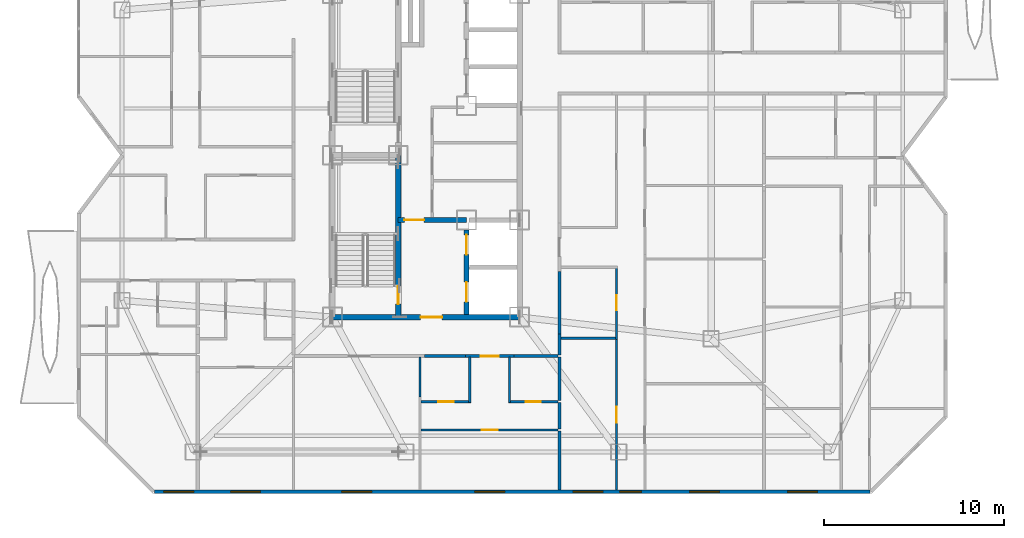
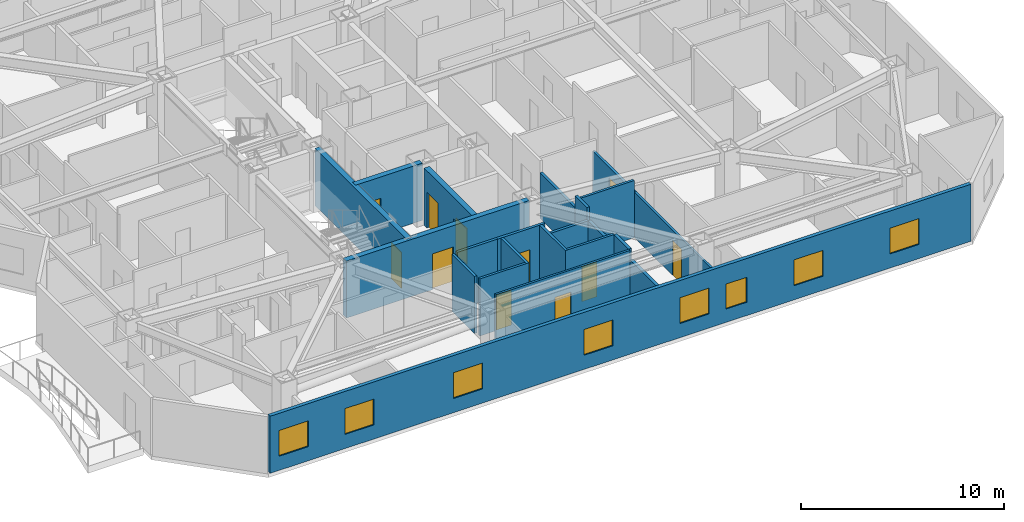
# One storey, part 15 of 21: 22 walls, 11 doors, 8 windows, 19 openings.
"""IFC4 building model written with IfcOpenShell, lengths in metres."""

from ifc_helpers import new_model, si_unit, direction, frame, frame_2d, origin, place, context, subcontext, project, spatial, rectangle, extrude, material, layer, layer_set, type_object, element, fill, save


model = new_model("IFC4")

# Units and contexts
model_context = context("Model", 3, precision=1e-05, world=origin(), true_north=direction((0.0, 1.0)))
body_context = subcontext(model_context, "Body", "Model", "MODEL_VIEW")
ifc_project = project(units=[si_unit("LENGTHUNIT", "METRE"), si_unit("AREAUNIT", "SQUARE_METRE"), si_unit("VOLUMEUNIT", "CUBIC_METRE"), si_unit("PLANEANGLEUNIT", "RADIAN"), si_unit("MASSUNIT", "GRAM", prefix="KILO")], contexts=[model_context])

# Site, building, storey
site_placement = place(None, origin())
site = spatial("IfcSite", under=ifc_project, at=site_placement, CompositionType="ELEMENT")
building_placement = place(site_placement, origin())
building = spatial("IfcBuilding", under=site, at=building_placement, Name="Khamvora Tower", CompositionType="ELEMENT")
storey_placement = place(building_placement, frame((0.0, 0.0, 159.550048828125)))
storey = spatial("IfcBuildingStorey", under=building, at=storey_placement, Name="L40", CompositionType="ELEMENT", Elevation=159.550048828125)

# Wall, opening, door
ifc_material_1 = material(Name="Concrete C50/60", Category="concrete")
ifc_layer_1 = layer(ifc_material_1, 0.300048828125)
ifc_layer_set_1 = layer_set([ifc_layer_1], Name="Concrete C50/60")
wall_type_1 = type_object("IfcWallType", Name="WAL-CORE-300", PredefinedType="SHEAR", material=ifc_layer_set_1)
wall_1_placement = place(storey_placement, frame((29.0, 19.0, 0.0), z_axis=(0.0, 0.0, 1.0), x_axis=(1.0, 0.0, 0.0)))
wall_1 = element("IfcWall", 1, at=wall_1_placement, inside=storey, type_object=wall_type_1, Name="L40 central core south wall", PredefinedType="SHEAR", context=body_context, shape_type="SweptSolid", body=[
    extrude(rectangle(XDim=10.39990234375, YDim=0.300048828125, at=frame_2d((5.199951171875, 0.0))), origin(), (0.0, 0.0, 1.0), 3.429931640625),
])
opening_1_placement = place(wall_1_placement, frame((4.89990234375, 0.0, 0.0)))
opening_1 = element("IfcOpeningElement", 2, at=opening_1_placement, cuts=wall_1, Name="Opening D-CR1", PredefinedType="OPENING", context=body_context, shape_type="SweptSolid", body=[
    extrude(rectangle(XDim=1.199951171875, YDim=2.14990234375, at=frame_2d((0.60009765625, 1.074951171875))), frame((0.0, 0.159912109375, 0.0), z_axis=(0.0, -1.0, 0.0), x_axis=(1.0, 0.0, 0.0)), (0.0, 0.0, 1.0), 0.320068359375),
])
ifc_material_2 = material(Name="Powder-Coated Steel and Hardwood Leaf", Category="steel")
door_type_1 = type_object("IfcDoorType", Name="DOR-CORR-1200", OperationType="NOTDEFINED", PredefinedType="DOOR", material=ifc_material_2)
door_1_placement = place(opening_1_placement, origin())
door_1 = element("IfcDoor", 3, at=door_1_placement, inside=storey, type_object=door_type_1, Name="L40 south core lobby to corridor fire door", OperationType="SINGLE_SWING_RIGHT", OverallHeight=2.14990234375, OverallWidth=1.199951171875, PredefinedType="DOOR", context=body_context, shape_type="SweptSolid", body=[
    extrude(rectangle(XDim=1.199951171875, YDim=2.14990234375, at=frame_2d((0.60009765625, 1.074951171875))), frame((0.0, 0.02490234375, 0.0), z_axis=(0.0, -1.0, 0.0), x_axis=(1.0, 0.0, 0.0)), (0.0, 0.0, 1.0), 0.050048828125),
])
fill(opening_1, door_1)

wall_2_placement = place(storey_placement, frame((32.64990234375, 19.0, 0.0), z_axis=(0.0, 0.0, 1.0), x_axis=(0.0, 1.0, 0.0)))
wall_2 = element("IfcWall", 4, at=wall_2_placement, inside=storey, type_object=wall_type_1, Name="L40 central core stair south spine wall", PredefinedType="SHEAR", context=body_context, shape_type="SweptSolid", body=[
    extrude(rectangle(XDim=9.0, YDim=0.300048828125, at=frame_2d((4.5, 0.0))), origin(), (0.0, 0.0, 1.0), 3.429931640625),
])
opening_2_placement = place(wall_2_placement, frame((0.719970703125, 0.0, 0.0)))
opening_2 = element("IfcOpeningElement", 5, at=opening_2_placement, cuts=wall_2, Name="Opening D-ST1", PredefinedType="OPENING", context=body_context, shape_type="SweptSolid", body=[
    extrude(rectangle(XDim=1.0, YDim=2.14990234375, at=frame_2d((0.5, 1.074951171875))), frame((0.0, 0.159912109375, 0.0), z_axis=(0.0, -1.0, 0.0), x_axis=(1.0, 0.0, 0.0)), (0.0, 0.0, 1.0), 0.320068359375),
])
door_type_2 = type_object("IfcDoorType", Name="DOR-STAIR-1000", OperationType="NOTDEFINED", PredefinedType="DOOR", material=ifc_material_2)
door_2_placement = place(opening_2_placement, origin())
door_2 = element("IfcDoor", 6, at=door_2_placement, inside=storey, type_object=door_type_2, Name="L40 exit stair ST-01 fire door", OperationType="SINGLE_SWING_RIGHT", OverallHeight=2.14990234375, OverallWidth=1.0, PredefinedType="DOOR", context=body_context, shape_type="SweptSolid", body=[
    extrude(rectangle(XDim=1.0, YDim=2.14990234375, at=frame_2d((0.5, 1.074951171875))), frame((0.0, 0.02490234375, 0.0), z_axis=(0.0, -1.0, 0.0), x_axis=(1.0, 0.0, 0.0)), (0.0, 0.0, 1.0), 0.050048828125),
])
fill(opening_2, door_2)

wall_3_placement = place(storey_placement, frame((32.64990234375, 24.39990234375, 0.0), z_axis=(0.0, 0.0, 1.0), x_axis=(1.0, 0.0, 0.0)))
wall_3 = element("IfcWall", 7, at=wall_3_placement, inside=storey, type_object=wall_type_1, Name="L40 central core firefighting lobby north wall", PredefinedType="SHEAR", context=body_context, shape_type="SweptSolid", body=[
    extrude(rectangle(XDim=3.800048828125, YDim=0.300048828125, at=frame_2d((1.89990234375, 0.0))), origin(), (0.0, 0.0, 1.0), 3.429931640625),
])
opening_3_placement = place(wall_3_placement, frame((0.35009765625, 0.0, 0.0)))
opening_3 = element("IfcOpeningElement", 8, at=opening_3_placement, cuts=wall_3, Name="Opening D-FF1", PredefinedType="OPENING", context=body_context, shape_type="SweptSolid", body=[
    extrude(rectangle(XDim=1.10009765625, YDim=2.14990234375, at=frame_2d((0.550048828125, 1.074951171875))), frame((0.0, 0.159912109375, 0.0), z_axis=(0.0, -1.0, 0.0), x_axis=(1.0, 0.0, 0.0)), (0.0, 0.0, 1.0), 0.320068359375),
])
door_type_3 = type_object("IfcDoorType", Name="DOR-FFLOB-1100", OperationType="NOTDEFINED", PredefinedType="DOOR", material=ifc_material_2)
door_3_placement = place(opening_3_placement, origin())
door_3 = element("IfcDoor", 9, at=door_3_placement, inside=storey, type_object=door_type_3, Name="L40 firefighting lobby smoke-seal fire door", OperationType="SINGLE_SWING_LEFT", OverallHeight=2.14990234375, OverallWidth=1.10009765625, PredefinedType="DOOR", context=body_context, shape_type="SweptSolid", body=[
    extrude(rectangle(XDim=1.10009765625, YDim=2.14990234375, at=frame_2d((0.550048828125, 1.074951171875))), frame((0.0, 0.02490234375, 0.0), z_axis=(0.0, -1.0, 0.0), x_axis=(1.0, 0.0, 0.0)), (0.0, 0.0, 1.0), 0.050048828125),
])
fill(opening_3, door_3)

# Wall, openings, doors
wall_4_placement = place(storey_placement, frame((36.449951171875, 19.154052734375, 0.0), z_axis=(0.0, 0.0, 1.0), x_axis=(0.0, 1.0, 0.0)))
wall_4 = element("IfcWall", 10, at=wall_4_placement, inside=storey, type_object=wall_type_1, Name="L40 central core lift bank south wall", PredefinedType="SHEAR", context=body_context, shape_type="SweptSolid", body=[
    extrude(rectangle(XDim=4.696044921875, YDim=0.300048828125, at=frame_2d((2.34814453125, 0.0))), origin(), (0.0, 0.0, 1.0), 3.429931640625),
])
opening_4_placement = place(wall_4_placement, frame((0.696044921875, 0.0, 0.0)))
opening_4 = element("IfcOpeningElement", 11, at=opening_4_placement, cuts=wall_4, Name="Opening LD-FFL", PredefinedType="OPENING", context=body_context, shape_type="SweptSolid", body=[
    extrude(rectangle(XDim=1.10009765625, YDim=2.14990234375, at=frame_2d((0.550048828125, 1.074951171875))), frame((0.0, 0.159912109375, 0.0), z_axis=(0.0, -1.0, 0.0), x_axis=(1.0, 0.0, 0.0)), (0.0, 0.0, 1.0), 0.320068359375),
])
opening_5_placement = place(wall_4_placement, frame((3.31591796875, 0.0, 0.0)))
opening_5 = element("IfcOpeningElement", 12, at=opening_5_placement, cuts=wall_4, Name="Opening LD-FFL", PredefinedType="OPENING", context=body_context, shape_type="SweptSolid", body=[
    extrude(rectangle(XDim=1.10009765625, YDim=2.14990234375, at=frame_2d((0.550048828125, 1.074951171875))), frame((0.0, 0.159912109375, 0.0), z_axis=(0.0, -1.0, 0.0), x_axis=(1.0, 0.0, 0.0)), (0.0, 0.0, 1.0), 0.320068359375),
])
door_type_4 = type_object("IfcDoorType", Name="DOR-LIFT-1100", OperationType="SLIDING_TO_LEFT", PredefinedType="DOOR", material=ifc_material_2)
door_4_placement = place(opening_4_placement, origin())
door_4 = element("IfcDoor", 13, at=door_4_placement, inside=storey, type_object=door_type_4, Name="L40 lift landing sliding door FFL-01", OperationType="SLIDING_TO_LEFT", OverallHeight=2.14990234375, OverallWidth=1.10009765625, PredefinedType="DOOR", context=body_context, shape_type="SweptSolid", body=[
    extrude(rectangle(XDim=1.10009765625, YDim=2.14990234375, at=frame_2d((0.550048828125, 1.074951171875))), frame((0.0, 0.02490234375, 0.0), z_axis=(0.0, -1.0, 0.0), x_axis=(1.0, 0.0, 0.0)), (0.0, 0.0, 1.0), 0.050048828125),
])
fill(opening_4, door_4)
door_5_placement = place(opening_5_placement, origin())
door_5 = element("IfcDoor", 14, at=door_5_placement, inside=storey, type_object=door_type_4, Name="L40 lift landing sliding door FFL-02", OperationType="SLIDING_TO_LEFT", OverallHeight=2.14990234375, OverallWidth=1.10009765625, PredefinedType="DOOR", context=body_context, shape_type="SweptSolid", body=[
    extrude(rectangle(XDim=1.10009765625, YDim=2.14990234375, at=frame_2d((0.550048828125, 1.074951171875))), frame((0.0, 0.02490234375, 0.0), z_axis=(0.0, -1.0, 0.0), x_axis=(1.0, 0.0, 0.0)), (0.0, 0.0, 1.0), 0.050048828125),
])
fill(opening_5, door_5)

# Wall, opening, door
ifc_material_3 = material(Name="Fire-Rated Drywall and Steel Stud", Category="steel")
ifc_layer_2 = layer(ifc_material_3, 0.14990234375)
ifc_layer_set_2 = layer_set([ifc_layer_2], Name="Fire-Rated Drywall and Steel Stud")
wall_type_2 = type_object("IfcWallType", Name="WAL-CORR-150", PredefinedType="STANDARD", material=ifc_layer_set_2)
wall_5_placement = place(storey_placement, frame((39.089111328125, 16.8349609375, 0.0), z_axis=(0.0, 0.0, 1.0), x_axis=(-1.0, 0.0, 0.0)))
wall_5 = element("IfcWall", 15, at=wall_5_placement, inside=storey, type_object=wall_type_2, Name="L40 interior partition wall 022", PredefinedType="STANDARD", context=body_context, shape_type="SweptSolid", body=[
    extrude(rectangle(XDim=2.697998046875, YDim=0.14990234375, at=frame_2d((1.34912109375, 0.0))), origin(), (0.0, 0.0, 1.0), 3.429931640625),
])
opening_6_placement = place(wall_5_placement, frame((0.84912109375, 0.0, 0.0)))
opening_6 = element("IfcOpeningElement", 16, at=opening_6_placement, cuts=wall_5, Name="Opening D-U1", PredefinedType="OPENING", context=body_context, shape_type="SweptSolid", body=[
    extrude(rectangle(XDim=1.0, YDim=2.14990234375, at=frame_2d((0.5, 1.074951171875))), frame((0.0, 0.0849609375, 0.0), z_axis=(0.0, -1.0, 0.0), x_axis=(1.0, 0.0, 0.0)), (0.0, 0.0, 1.0), 0.169921875),
])
door_type_5 = type_object("IfcDoorType", Name="DOR-UNIT-1000", OperationType="NOTDEFINED", PredefinedType="DOOR", material=ifc_material_2)
door_6_placement = place(opening_6_placement, origin())
door_6 = element("IfcDoor", 17, at=door_6_placement, inside=storey, type_object=door_type_5, Name="L40 interior door COR-40SAH", OperationType="SINGLE_SWING_RIGHT", OverallHeight=2.14990234375, OverallWidth=1.0, PredefinedType="DOOR", context=body_context, shape_type="SweptSolid", body=[
    extrude(rectangle(XDim=1.0, YDim=2.14990234375, at=frame_2d((0.5, 1.074951171875))), frame((0.0, 0.02490234375, 0.0), z_axis=(0.0, -1.0, 0.0), x_axis=(1.0, 0.0, 0.0)), (0.0, 0.0, 1.0), 0.050048828125),
])
fill(opening_6, door_6)

# Walls
wall_6_placement = place(storey_placement, frame((36.39111328125, 16.8349609375, 0.0), z_axis=(0.0, 0.0, 1.0), x_axis=(-1.0, 0.0, 0.0)))
element("IfcWall", 18, at=wall_6_placement, inside=storey, type_object=wall_type_2, Name="L40 interior partition wall 023", PredefinedType="STANDARD", context=body_context, shape_type="SweptSolid", body=[
    extrude(rectangle(XDim=2.277099609375, YDim=0.14990234375, at=frame_2d((1.138671875, 0.0))), origin(), (0.0, 0.0, 1.0), 3.429931640625),
])
wall_7_placement = place(storey_placement, frame((41.550048828125, 16.8349609375, 0.0), z_axis=(0.0, 0.0, 1.0), x_axis=(-1.0, 0.0, 0.0)))
element("IfcWall", 19, at=wall_7_placement, inside=storey, type_object=wall_type_2, Name="L40 interior partition wall 024", PredefinedType="STANDARD", context=body_context, shape_type="SweptSolid", body=[
    extrude(rectangle(XDim=2.4609375, YDim=0.14990234375, at=frame_2d((1.23046875, 0.0))), origin(), (0.0, 0.0, 1.0), 2.724853515625),
])
wall_8_placement = place(storey_placement, frame((41.614990234375, 18.068115234375, 0.0), z_axis=(0.0, 0.0, 1.0), x_axis=(0.0, -1.0, 0.0)))
element("IfcWall", 20, at=wall_8_placement, inside=storey, type_object=wall_type_2, Name="L40 interior partition wall 028", PredefinedType="STANDARD", context=body_context, shape_type="SweptSolid", body=[
    extrude(rectangle(XDim=1.168212890625, YDim=0.14990234375, at=frame_2d((0.583984375, 0.0))), origin(), (0.0, 0.0, 1.0), 3.429931640625),
])
wall_9_placement = place(storey_placement, frame((41.614990234375, 21.534912109375, 0.0), z_axis=(0.0, 0.0, 1.0), x_axis=(0.0, -1.0, 0.0)))
element("IfcWall", 21, at=wall_9_placement, inside=storey, type_object=wall_type_2, Name="L40 interior partition wall 031", PredefinedType="STANDARD", context=body_context, shape_type="SweptSolid", body=[
    extrude(rectangle(XDim=3.466796875, YDim=0.14990234375, at=frame_2d((1.7333984375, 0.0))), origin(), (0.0, 0.0, 1.0), 2.724853515625),
])
ifc_material_4 = material(Name="Acoustic Double-Stud Fire Wall", Category="gypsum")
ifc_layer_3 = layer(ifc_material_4, 0.179931640625)
ifc_layer_set_3 = layer_set([ifc_layer_3], Name="Acoustic Double-Stud Fire Wall")
wall_type_3 = type_object("IfcWallType", Name="WAL-CORR-180", PredefinedType="STANDARD", material=ifc_layer_set_3)
wall_10_placement = place(storey_placement, frame((41.614990234375, 14.239990234375, 0.0), z_axis=(0.0, 0.0, 1.0), x_axis=(0.0, -1.0, 0.0)))
element("IfcWall", 22, at=wall_10_placement, inside=storey, type_object=wall_type_3, Name="L40 interior partition wall 092", PredefinedType="STANDARD", context=body_context, shape_type="SweptSolid", body=[
    extrude(rectangle(XDim=1.449951171875, YDim=0.179931640625, at=frame_2d((0.72509765625, 0.0))), origin(), (0.0, 0.0, 1.0), 3.429931640625),
])
wall_11_placement = place(storey_placement, frame((41.614990234375, 16.77001953125, 0.0), z_axis=(0.0, 0.0, 1.0), x_axis=(0.0, -1.0, 0.0)))
element("IfcWall", 23, at=wall_11_placement, inside=storey, type_object=wall_type_3, Name="L40 interior partition wall 093", PredefinedType="STANDARD", context=body_context, shape_type="SweptSolid", body=[
    extrude(rectangle(XDim=2.39990234375, YDim=0.179931640625, at=frame_2d((1.199951171875, 0.0))), origin(), (0.0, 0.0, 1.0), 2.724853515625),
])
wall_12_placement = place(storey_placement, frame((41.614990234375, 12.659912109375, 0.0), z_axis=(0.0, 0.0, 1.0), x_axis=(0.0, -1.0, 0.0)))
element("IfcWall", 24, at=wall_12_placement, inside=storey, type_object=wall_type_3, Name="L40 interior partition wall 094", PredefinedType="STANDARD", context=body_context, shape_type="SweptSolid", body=[
    extrude(rectangle(XDim=3.267822265625, YDim=0.179931640625, at=frame_2d((1.6337890625, 0.0))), origin(), (0.0, 0.0, 1.0), 2.8759765625),
])

# Wall, openings, windows
ifc_material_5 = material(Name="Precast concrete C40/50", Category="concrete")
ifc_layer_4 = layer(ifc_material_5, 0.199951171875)
ifc_layer_set_4 = layer_set([ifc_layer_4], Name="Precast concrete C40/50")
wall_type_4 = type_object("IfcWallType", Name="WAL-EXT-200", PredefinedType="STANDARD", material=ifc_layer_set_4)
wall_13_placement = place(storey_placement, frame((58.89599609375, 9.300048828125, 0.0), z_axis=(0.0, 0.0, 1.0), x_axis=(-1.0, 0.0, 0.0)))
wall_13 = element("IfcWall", 25, at=wall_13_placement, inside=storey, type_object=wall_type_4, Name="L40 exterior facade wall 14.1", PredefinedType="STANDARD", context=body_context, shape_type="SweptSolid", body=[
    extrude(rectangle(XDim=39.79296875, YDim=0.199951171875, at=frame_2d((19.896484375, 0.0))), origin(), (0.0, 0.0, 1.0), 3.429931640625),
])
opening_7_placement = place(wall_13_placement, frame((27.720947265625, 0.0, 0.85009765625)))
opening_7 = element("IfcOpeningElement", 26, at=opening_7_placement, cuts=wall_13, Name="Opening WN-06", PredefinedType="OPENING", context=body_context, shape_type="SweptSolid", body=[
    extrude(rectangle(XDim=1.64990234375, YDim=1.550048828125, at=frame_2d((0.824951171875, 0.77490234375))), frame((0.0, 0.10986328125, 0.0), z_axis=(0.0, -1.0, 0.0), x_axis=(1.0, 0.0, 0.0)), (0.0, 0.0, 1.0), 0.219970703125),
])
opening_8_placement = place(wall_13_placement, frame((37.625, 0.0, 0.85009765625)))
opening_8 = element("IfcOpeningElement", 27, at=opening_8_placement, cuts=wall_13, Name="Opening WN-06", PredefinedType="OPENING", context=body_context, shape_type="SweptSolid", body=[
    extrude(rectangle(XDim=1.64990234375, YDim=1.550048828125, at=frame_2d((0.824951171875, 0.77490234375))), frame((0.0, 0.10986328125, 0.0), z_axis=(0.0, -1.0, 0.0), x_axis=(1.0, 0.0, 0.0)), (0.0, 0.0, 1.0), 0.219970703125),
])
opening_9_placement = place(wall_13_placement, frame((33.90087890625, 0.0, 0.85009765625)))
opening_9 = element("IfcOpeningElement", 28, at=opening_9_placement, cuts=wall_13, Name="Opening WN-06", PredefinedType="OPENING", context=body_context, shape_type="SweptSolid", body=[
    extrude(rectangle(XDim=1.64990234375, YDim=1.550048828125, at=frame_2d((0.824951171875, 0.77490234375))), frame((0.0, 0.10986328125, 0.0), z_axis=(0.0, -1.0, 0.0), x_axis=(1.0, 0.0, 0.0)), (0.0, 0.0, 1.0), 0.219970703125),
])
opening_10_placement = place(wall_13_placement, frame((20.3310546875, 0.0, 0.85009765625)))
opening_10 = element("IfcOpeningElement", 29, at=opening_10_placement, cuts=wall_13, Name="Opening WN-06", PredefinedType="OPENING", context=body_context, shape_type="SweptSolid", body=[
    extrude(rectangle(XDim=1.64990234375, YDim=1.550048828125, at=frame_2d((0.824951171875, 0.77490234375))), frame((0.0, 0.10986328125, 0.0), z_axis=(0.0, -1.0, 0.0), x_axis=(1.0, 0.0, 0.0)), (0.0, 0.0, 1.0), 0.219970703125),
])
opening_11_placement = place(wall_13_placement, frame((14.868896484375, 0.0, 0.85009765625)))
opening_11 = element("IfcOpeningElement", 30, at=opening_11_placement, cuts=wall_13, Name="Opening WN-06", PredefinedType="OPENING", context=body_context, shape_type="SweptSolid", body=[
    extrude(rectangle(XDim=1.64990234375, YDim=1.550048828125, at=frame_2d((0.824951171875, 0.77490234375))), frame((0.0, 0.10986328125, 0.0), z_axis=(0.0, -1.0, 0.0), x_axis=(1.0, 0.0, 0.0)), (0.0, 0.0, 1.0), 0.219970703125),
])
opening_12_placement = place(wall_13_placement, frame((12.718017578125, 0.0, 0.800048828125)))
opening_12 = element("IfcOpeningElement", 31, at=opening_12_placement, cuts=wall_13, Name="Opening WN-03", PredefinedType="OPENING", context=body_context, shape_type="SweptSolid", body=[
    extrude(rectangle(XDim=1.199951171875, YDim=1.5, at=frame_2d((0.60009765625, 0.75))), frame((0.0, 0.10986328125, 0.0), z_axis=(0.0, -1.0, 0.0), x_axis=(1.0, 0.0, 0.0)), (0.0, 0.0, 1.0), 0.219970703125),
])
opening_13_placement = place(wall_13_placement, frame((8.39404296875, 0.0, 0.85009765625)))
opening_13 = element("IfcOpeningElement", 32, at=opening_13_placement, cuts=wall_13, Name="Opening WN-06", PredefinedType="OPENING", context=body_context, shape_type="SweptSolid", body=[
    extrude(rectangle(XDim=1.64990234375, YDim=1.550048828125, at=frame_2d((0.824951171875, 0.77490234375))), frame((0.0, 0.10986328125, 0.0), z_axis=(0.0, -1.0, 0.0), x_axis=(1.0, 0.0, 0.0)), (0.0, 0.0, 1.0), 0.219970703125),
])
opening_14_placement = place(wall_13_placement, frame((2.93603515625, 0.0, 0.85009765625)))
opening_14 = element("IfcOpeningElement", 33, at=opening_14_placement, cuts=wall_13, Name="Opening WN-06", PredefinedType="OPENING", context=body_context, shape_type="SweptSolid", body=[
    extrude(rectangle(XDim=1.64990234375, YDim=1.550048828125, at=frame_2d((0.824951171875, 0.77490234375))), frame((0.0, 0.10986328125, 0.0), z_axis=(0.0, -1.0, 0.0), x_axis=(1.0, 0.0, 0.0)), (0.0, 0.0, 1.0), 0.219970703125),
])
ifc_material_6 = material(Name="Low-E Laminated Double Glazing", Category="glass")
window_type_1 = type_object("IfcWindowType", Name="WIN-VIS-1200x1500", PartitioningType="SINGLE_PANEL", PredefinedType="WINDOW", material=ifc_material_6)
window_1_placement = place(opening_12_placement, origin())
window_1 = element("IfcWindow", 34, at=window_1_placement, inside=storey, type_object=window_type_1, Name="L40 vision window 14.1.06", OverallHeight=1.5, OverallWidth=1.199951171875, PartitioningType="SINGLE_PANEL", PredefinedType="WINDOW", context=body_context, shape_type="SweptSolid", body=[
    extrude(rectangle(XDim=1.199951171875, YDim=1.5, at=frame_2d((0.60009765625, 0.75))), frame((0.0, 0.030029296875, 0.0), z_axis=(0.0, -1.0, 0.0), x_axis=(1.0, 0.0, 0.0)), (0.0, 0.0, 1.0), 0.06005859375),
])
fill(opening_12, window_1)
window_type_2 = type_object("IfcWindowType", Name="WIN-VIS-1650x1550", PartitioningType="SINGLE_PANEL", PredefinedType="WINDOW", material=ifc_material_6)
window_2_placement = place(opening_7_placement, origin())
window_2 = element("IfcWindow", 35, at=window_2_placement, inside=storey, type_object=window_type_2, Name="L40 vision window 14.1.01", OverallHeight=1.550048828125, OverallWidth=1.64990234375, PartitioningType="SINGLE_PANEL", PredefinedType="WINDOW", context=body_context, shape_type="SweptSolid", body=[
    extrude(rectangle(XDim=1.64990234375, YDim=1.550048828125, at=frame_2d((0.824951171875, 0.77490234375))), frame((0.0, 0.030029296875, 0.0), z_axis=(0.0, -1.0, 0.0), x_axis=(1.0, 0.0, 0.0)), (0.0, 0.0, 1.0), 0.06005859375),
])
fill(opening_7, window_2)
window_3_placement = place(opening_8_placement, origin())
window_3 = element("IfcWindow", 36, at=window_3_placement, inside=storey, type_object=window_type_2, Name="L40 vision window 14.1.02", OverallHeight=1.550048828125, OverallWidth=1.64990234375, PartitioningType="SINGLE_PANEL", PredefinedType="WINDOW", context=body_context, shape_type="SweptSolid", body=[
    extrude(rectangle(XDim=1.64990234375, YDim=1.550048828125, at=frame_2d((0.824951171875, 0.77490234375))), frame((0.0, 0.030029296875, 0.0), z_axis=(0.0, -1.0, 0.0), x_axis=(1.0, 0.0, 0.0)), (0.0, 0.0, 1.0), 0.06005859375),
])
fill(opening_8, window_3)
window_4_placement = place(opening_9_placement, origin())
window_4 = element("IfcWindow", 37, at=window_4_placement, inside=storey, type_object=window_type_2, Name="L40 vision window 14.1.03", OverallHeight=1.550048828125, OverallWidth=1.64990234375, PartitioningType="SINGLE_PANEL", PredefinedType="WINDOW", context=body_context, shape_type="SweptSolid", body=[
    extrude(rectangle(XDim=1.64990234375, YDim=1.550048828125, at=frame_2d((0.824951171875, 0.77490234375))), frame((0.0, 0.030029296875, 0.0), z_axis=(0.0, -1.0, 0.0), x_axis=(1.0, 0.0, 0.0)), (0.0, 0.0, 1.0), 0.06005859375),
])
fill(opening_9, window_4)
window_5_placement = place(opening_10_placement, origin())
window_5 = element("IfcWindow", 38, at=window_5_placement, inside=storey, type_object=window_type_2, Name="L40 vision window 14.1.04", OverallHeight=1.550048828125, OverallWidth=1.64990234375, PartitioningType="SINGLE_PANEL", PredefinedType="WINDOW", context=body_context, shape_type="SweptSolid", body=[
    extrude(rectangle(XDim=1.64990234375, YDim=1.550048828125, at=frame_2d((0.824951171875, 0.77490234375))), frame((0.0, 0.030029296875, 0.0), z_axis=(0.0, -1.0, 0.0), x_axis=(1.0, 0.0, 0.0)), (0.0, 0.0, 1.0), 0.06005859375),
])
fill(opening_10, window_5)
window_6_placement = place(opening_11_placement, origin())
window_6 = element("IfcWindow", 39, at=window_6_placement, inside=storey, type_object=window_type_2, Name="L40 vision window 14.1.05", OverallHeight=1.550048828125, OverallWidth=1.64990234375, PartitioningType="SINGLE_PANEL", PredefinedType="WINDOW", context=body_context, shape_type="SweptSolid", body=[
    extrude(rectangle(XDim=1.64990234375, YDim=1.550048828125, at=frame_2d((0.824951171875, 0.77490234375))), frame((0.0, 0.030029296875, 0.0), z_axis=(0.0, -1.0, 0.0), x_axis=(1.0, 0.0, 0.0)), (0.0, 0.0, 1.0), 0.06005859375),
])
fill(opening_11, window_6)
window_7_placement = place(opening_13_placement, origin())
window_7 = element("IfcWindow", 40, at=window_7_placement, inside=storey, type_object=window_type_2, Name="L40 vision window 14.1.07", OverallHeight=1.550048828125, OverallWidth=1.64990234375, PartitioningType="SINGLE_PANEL", PredefinedType="WINDOW", context=body_context, shape_type="SweptSolid", body=[
    extrude(rectangle(XDim=1.64990234375, YDim=1.550048828125, at=frame_2d((0.824951171875, 0.77490234375))), frame((0.0, 0.030029296875, 0.0), z_axis=(0.0, -1.0, 0.0), x_axis=(1.0, 0.0, 0.0)), (0.0, 0.0, 1.0), 0.06005859375),
])
fill(opening_13, window_7)
window_8_placement = place(opening_14_placement, origin())
window_8 = element("IfcWindow", 41, at=window_8_placement, inside=storey, type_object=window_type_2, Name="L40 vision window 14.1.08", OverallHeight=1.550048828125, OverallWidth=1.64990234375, PartitioningType="SINGLE_PANEL", PredefinedType="WINDOW", context=body_context, shape_type="SweptSolid", body=[
    extrude(rectangle(XDim=1.64990234375, YDim=1.550048828125, at=frame_2d((0.824951171875, 0.77490234375))), frame((0.0, 0.030029296875, 0.0), z_axis=(0.0, -1.0, 0.0), x_axis=(1.0, 0.0, 0.0)), (0.0, 0.0, 1.0), 0.06005859375),
])
fill(opening_14, window_8)

# Wall, opening, door
ifc_material_7 = material(Name="Gypsum Plasterboard Partition", Category="gypsum")
ifc_layer_5 = layer(ifc_material_7, 0.1201171875)
ifc_layer_set_5 = layer_set([ifc_layer_5], Name="Gypsum Plasterboard Partition")
wall_type_5 = type_object("IfcWallType", Name="WAL-PART-120", PredefinedType="PARTITIONING", material=ifc_layer_set_5)
wall_14_placement = place(storey_placement, frame((41.550048828125, 12.72509765625, 0.0), z_axis=(0.0, 0.0, 1.0), x_axis=(-1.0, 0.0, 0.0)))
wall_14 = element("IfcWall", 42, at=wall_14_placement, inside=storey, type_object=wall_type_5, Name="L40 interior partition wall 091", PredefinedType="PARTITIONING", context=body_context, shape_type="SweptSolid", body=[
    extrude(rectangle(XDim=7.631103515625, YDim=0.1201171875, at=frame_2d((3.8154296875, 0.0))), origin(), (0.0, 0.0, 1.0), 3.429931640625),
])
opening_15_placement = place(wall_14_placement, frame((3.364990234375, 0.0, 0.0)))
opening_15 = element("IfcOpeningElement", 43, at=opening_15_placement, cuts=wall_14, Name="Opening D-RM1", PredefinedType="OPENING", context=body_context, shape_type="SweptSolid", body=[
    extrude(rectangle(XDim=0.89990234375, YDim=2.10009765625, at=frame_2d((0.449951171875, 1.050048828125))), frame((0.0, 0.070068359375, 0.0), z_axis=(0.0, -1.0, 0.0), x_axis=(1.0, 0.0, 0.0)), (0.0, 0.0, 1.0), 0.14013671875),
])
door_type_6 = type_object("IfcDoorType", Name="DOR-ROOM-900", OperationType="NOTDEFINED", PredefinedType="DOOR", material=ifc_material_2)
door_7_placement = place(opening_15_placement, origin())
door_7 = element("IfcDoor", 44, at=door_7_placement, inside=storey, type_object=door_type_6, Name="L40 interior door 40SAH-40SAR1", OperationType="SINGLE_SWING_LEFT", OverallHeight=2.10009765625, OverallWidth=0.89990234375, PredefinedType="DOOR", context=body_context, shape_type="SweptSolid", body=[
    extrude(rectangle(XDim=0.89990234375, YDim=2.10009765625, at=frame_2d((0.449951171875, 1.050048828125))), frame((0.0, 0.02490234375, 0.0), z_axis=(0.0, -1.0, 0.0), x_axis=(1.0, 0.0, 0.0)), (0.0, 0.0, 1.0), 0.050048828125),
])
fill(opening_15, door_7)

wall_15_placement = place(storey_placement, frame((44.7880859375, 17.75390625, 0.0), z_axis=(0.0, 0.0, 1.0), x_axis=(0.0, -1.0, 0.0)))
wall_15 = element("IfcWall", 45, at=wall_15_placement, inside=storey, type_object=wall_type_5, Name="L40 interior partition wall 106", PredefinedType="PARTITIONING", context=body_context, shape_type="SweptSolid", body=[
    extrude(rectangle(XDim=8.36181640625, YDim=0.1201171875, at=frame_2d((4.180908203125, 0.0))), origin(), (0.0, 0.0, 1.0), 2.724853515625),
])
opening_16_placement = place(wall_15_placement, frame((3.73095703125, 0.0, 0.0)))
opening_16 = element("IfcOpeningElement", 46, at=opening_16_placement, cuts=wall_15, Name="Opening D-RM1", PredefinedType="OPENING", context=body_context, shape_type="SweptSolid", body=[
    extrude(rectangle(XDim=0.89990234375, YDim=2.10009765625, at=frame_2d((0.449951171875, 1.050048828125))), frame((0.0, 0.070068359375, 0.0), z_axis=(0.0, -1.0, 0.0), x_axis=(1.0, 0.0, 0.0)), (0.0, 0.0, 1.0), 0.14013671875),
])
door_8_placement = place(opening_16_placement, origin())
door_8 = element("IfcDoor", 47, at=door_8_placement, inside=storey, type_object=door_type_6, Name="L40 interior door 40EAW1-40EAH", OperationType="SINGLE_SWING_RIGHT", OverallHeight=2.10009765625, OverallWidth=0.89990234375, PredefinedType="DOOR", context=body_context, shape_type="SweptSolid", body=[
    extrude(rectangle(XDim=0.89990234375, YDim=2.10009765625, at=frame_2d((0.449951171875, 1.050048828125))), frame((0.0, 0.02490234375, 0.0), z_axis=(0.0, -1.0, 0.0), x_axis=(1.0, 0.0, 0.0)), (0.0, 0.0, 1.0), 0.050048828125),
])
fill(opening_16, door_8)

# Wall
ifc_material_8 = material(Name="Moisture-Resistant Plasterboard Partition", Category="gypsum")
ifc_layer_6 = layer(ifc_material_8, 0.135009765625)
ifc_layer_set_6 = layer_set([ifc_layer_6], Name="Moisture-Resistant Plasterboard Partition")
wall_type_6 = type_object("IfcWallType", Name="WAL-WET-135", PredefinedType="PARTITIONING", material=ifc_layer_set_6)
wall_16_placement = place(storey_placement, frame((33.864990234375, 16.77001953125, 0.0), z_axis=(0.0, 0.0, 1.0), x_axis=(0.0, -1.0, 0.0)))
element("IfcWall", 48, at=wall_16_placement, inside=storey, type_object=wall_type_6, Name="L40 interior partition wall 049", PredefinedType="PARTITIONING", context=body_context, shape_type="SweptSolid", body=[
    extrude(rectangle(XDim=2.216064453125, YDim=0.135009765625, at=frame_2d((1.10791015625, 0.0))), origin(), (0.0, 0.0, 1.0), 3.429931640625),
])

# Wall, opening, door
wall_17_placement = place(storey_placement, frame((33.9189453125, 14.304931640625, 0.0), z_axis=(0.0, 0.0, 1.0), x_axis=(1.0, 0.0, 0.0)))
wall_17 = element("IfcWall", 49, at=wall_17_placement, inside=storey, type_object=wall_type_6, Name="L40 interior partition wall 087", PredefinedType="PARTITIONING", context=body_context, shape_type="SweptSolid", body=[
    extrude(rectangle(XDim=2.7861328125, YDim=0.135009765625, at=frame_2d((1.39306640625, 0.0))), origin(), (0.0, 0.0, 1.0), 3.429931640625),
])
opening_17_placement = place(wall_17_placement, frame((0.968017578125, 0.0, 0.0)))
opening_17 = element("IfcOpeningElement", 50, at=opening_17_placement, cuts=wall_17, Name="Opening D-WC1", PredefinedType="OPENING", context=body_context, shape_type="SweptSolid", body=[
    extrude(rectangle(XDim=0.85009765625, YDim=2.10009765625, at=frame_2d((0.425048828125, 1.050048828125))), frame((0.0, 0.077392578125, 0.0), z_axis=(0.0, -1.0, 0.0), x_axis=(1.0, 0.0, 0.0)), (0.0, 0.0, 1.0), 0.155029296875),
])
door_type_7 = type_object("IfcDoorType", Name="DOR-WET-850", OperationType="NOTDEFINED", PredefinedType="DOOR", material=ifc_material_2)
door_9_placement = place(opening_17_placement, origin())
door_9 = element("IfcDoor", 51, at=door_9_placement, inside=storey, type_object=door_type_7, Name="L40 interior door 40SAH-40SAB", OperationType="SINGLE_SWING_LEFT", OverallHeight=2.10009765625, OverallWidth=0.85009765625, PredefinedType="DOOR", context=body_context, shape_type="SweptSolid", body=[
    extrude(rectangle(XDim=0.85009765625, YDim=2.10009765625, at=frame_2d((0.425048828125, 1.050048828125))), frame((0.0, 0.02490234375, 0.0), z_axis=(0.0, -1.0, 0.0), x_axis=(1.0, 0.0, 0.0)), (0.0, 0.0, 1.0), 0.050048828125),
])
fill(opening_17, door_9)

# Walls
for number, where, z_axis, x_axis, name in (
    (52, (36.639892578125, 14.239990234375, 0.0), (0.0, 0.0, 1.0), (0.0, 1.0, 0.0), "L40 interior partition wall 088"),
    (53, (38.840087890625, 16.77001953125, 0.0), (0.0, 0.0, 1.0), (0.0, -1.0, 0.0), "L40 interior partition wall 089"),
):
    element("IfcWall", number, at=place(storey_placement, frame(where, z_axis=z_axis, x_axis=x_axis)), inside=storey, type_object=wall_type_6, Name=name, PredefinedType="PARTITIONING", context=body_context, shape_type="SweptSolid", body=[
        extrude(rectangle(XDim=2.530029296875, YDim=0.135009765625, at=frame_2d((1.26513671875, 0.0))), origin(), (0.0, 0.0, 1.0), 3.429931640625),
    ])

# Wall, opening, door
wall_18_placement = place(storey_placement, frame((38.77490234375, 14.304931640625, 0.0), z_axis=(0.0, 0.0, 1.0), x_axis=(1.0, 0.0, 0.0)))
wall_18 = element("IfcWall", 54, at=wall_18_placement, inside=storey, type_object=wall_type_6, Name="L40 interior partition wall 090", PredefinedType="PARTITIONING", context=body_context, shape_type="SweptSolid", body=[
    extrude(rectangle(XDim=2.775146484375, YDim=0.135009765625, at=frame_2d((1.3876953125, 0.0))), origin(), (0.0, 0.0, 1.0), 3.429931640625),
])
opening_18_placement = place(wall_18_placement, frame((0.9619140625, 0.0, 0.0)))
opening_18 = element("IfcOpeningElement", 55, at=opening_18_placement, cuts=wall_18, Name="Opening D-RM2", PredefinedType="OPENING", context=body_context, shape_type="SweptSolid", body=[
    extrude(rectangle(XDim=0.85009765625, YDim=2.10009765625, at=frame_2d((0.425048828125, 1.050048828125))), frame((0.0, 0.077392578125, 0.0), z_axis=(0.0, -1.0, 0.0), x_axis=(1.0, 0.0, 0.0)), (0.0, 0.0, 1.0), 0.155029296875),
])
door_type_8 = type_object("IfcDoorType", Name="DOR-ROOM-850", OperationType="NOTDEFINED", PredefinedType="DOOR", material=ifc_material_2)
door_10_placement = place(opening_18_placement, origin())
door_10 = element("IfcDoor", 56, at=door_10_placement, inside=storey, type_object=door_type_8, Name="L40 interior door 40SAH-40SAK", OperationType="SINGLE_SWING_RIGHT", OverallHeight=2.10009765625, OverallWidth=0.85009765625, PredefinedType="DOOR", context=body_context, shape_type="SweptSolid", body=[
    extrude(rectangle(XDim=0.85009765625, YDim=2.10009765625, at=frame_2d((0.425048828125, 1.050048828125))), frame((0.0, 0.02490234375, 0.0), z_axis=(0.0, -1.0, 0.0), x_axis=(1.0, 0.0, 0.0)), (0.0, 0.0, 1.0), 0.050048828125),
])
fill(opening_18, door_10)

# Wall
wall_19_placement = place(storey_placement, frame((41.681884765625, 17.819091796875, 0.0), z_axis=(0.0, 0.0, 1.0), x_axis=(1.0, 0.0, 0.0)))
element("IfcWall", 57, at=wall_19_placement, inside=storey, type_object=wall_type_6, Name="L40 interior partition wall 107", PredefinedType="PARTITIONING", context=body_context, shape_type="SweptSolid", body=[
    extrude(rectangle(XDim=3.041015625, YDim=0.135009765625, at=frame_2d((1.5205078125, 0.0))), origin(), (0.0, 0.0, 1.0), 3.429931640625),
])

# Wall, opening, door
wall_20_placement = place(storey_placement, frame((44.7880859375, 17.75390625, 0.0), z_axis=(0.0, 0.0, 1.0), x_axis=(0.0, 1.0, 0.0)))
wall_20 = element("IfcWall", 58, at=wall_20_placement, inside=storey, type_object=wall_type_6, Name="L40 interior partition wall 108", PredefinedType="PARTITIONING", context=body_context, shape_type="SweptSolid", body=[
    extrude(rectangle(XDim=4.09521484375, YDim=0.135009765625, at=frame_2d((2.047607421875, 0.0))), origin(), (0.0, 0.0, 1.0), 2.724853515625),
])
opening_19_placement = place(wall_20_placement, frame((1.6220703125, 0.0, 0.0)))
opening_19 = element("IfcOpeningElement", 59, at=opening_19_placement, cuts=wall_20, Name="Opening D-WC1", PredefinedType="OPENING", context=body_context, shape_type="SweptSolid", body=[
    extrude(rectangle(XDim=0.85009765625, YDim=2.10009765625, at=frame_2d((0.425048828125, 1.050048828125))), frame((0.0, 0.077392578125, 0.0), z_axis=(0.0, -1.0, 0.0), x_axis=(1.0, 0.0, 0.0)), (0.0, 0.0, 1.0), 0.155029296875),
])
door_11_placement = place(opening_19_placement, origin())
door_11 = element("IfcDoor", 60, at=door_11_placement, inside=storey, type_object=door_type_7, Name="L40 interior door 40EAH-40EAB", OperationType="SINGLE_SWING_LEFT", OverallHeight=2.10009765625, OverallWidth=0.85009765625, PredefinedType="DOOR", context=body_context, shape_type="SweptSolid", body=[
    extrude(rectangle(XDim=0.85009765625, YDim=2.10009765625, at=frame_2d((0.425048828125, 1.050048828125))), frame((0.0, 0.02490234375, 0.0), z_axis=(0.0, -1.0, 0.0), x_axis=(1.0, 0.0, 0.0)), (0.0, 0.0, 1.0), 0.050048828125),
])
fill(opening_19, door_11)

save(model, "model.ifc")
